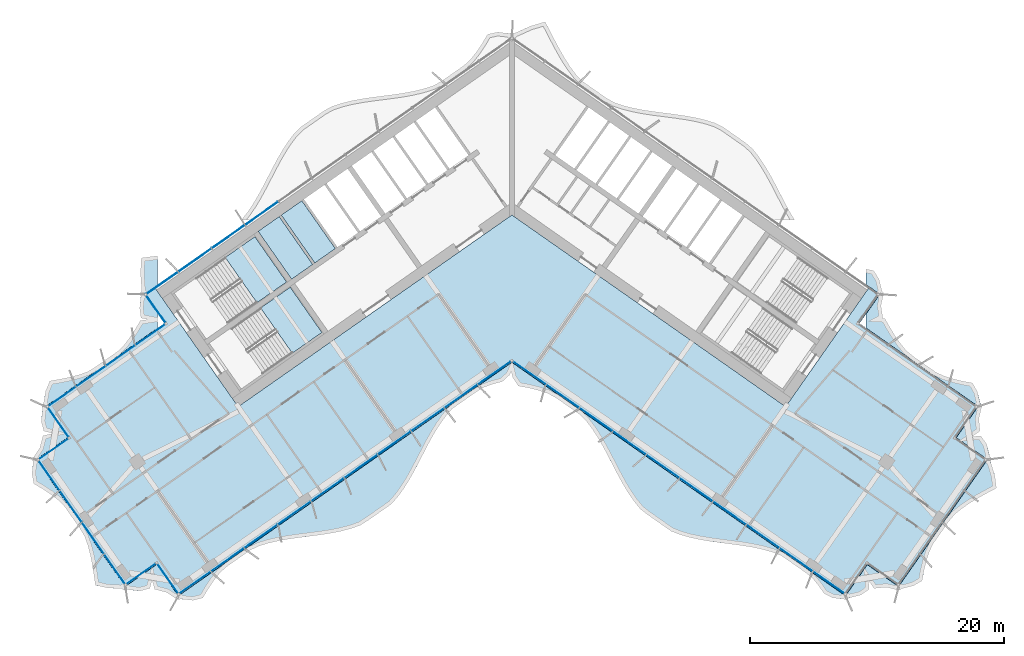
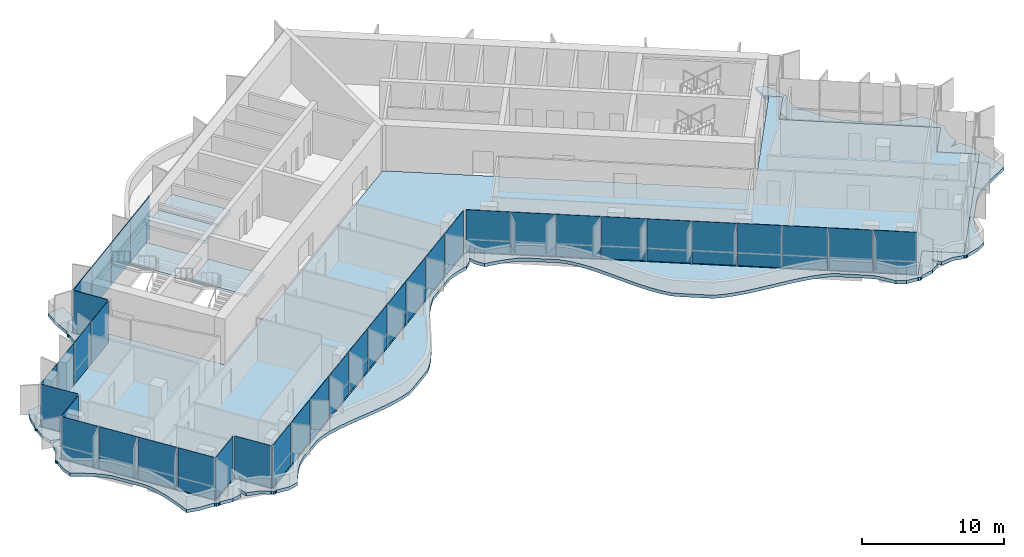
# One storey, part 12 of 23: 37 plates, 6 slabs, 4 elements without a shape of their own.
"""IFC4 building model written with IfcOpenShell, lengths in metres."""

from ifc_helpers import new_model, si_unit, direction, frame, origin, origin_2d, place, context, subcontext, project, spatial, polyline, rectangle, outline, extrude, material, layer, layer_set, type_object, element, aggregate, save


model = new_model("IFC4")

# Units and contexts
model_context = context("Model", 3, precision=1e-05, world=origin(), true_north=direction((0.0, 1.0)))
body_context = subcontext(model_context, "Body", "Model", "MODEL_VIEW")
ifc_project = project(units=[si_unit("LENGTHUNIT", "METRE"), si_unit("AREAUNIT", "SQUARE_METRE"), si_unit("VOLUMEUNIT", "CUBIC_METRE"), si_unit("PLANEANGLEUNIT", "RADIAN"), si_unit("MASSUNIT", "GRAM", prefix="KILO")], contexts=[model_context])

# Site, building, storey
site_placement = place(None, origin())
site = spatial("IfcSite", under=ifc_project, at=site_placement, CompositionType="ELEMENT")
building_placement = place(site_placement, origin())
building = spatial("IfcBuilding", under=site, at=building_placement, Name="Tel Ilan Convention Tower", CompositionType="ELEMENT")
storey_placement = place(building_placement, frame((0.0, 0.0, 182.699951171875)))
storey = spatial("IfcBuildingStorey", under=building, at=storey_placement, Name="L42", CompositionType="ELEMENT", Elevation=182.699951171875)

# Curtain wall, plates
ifc_material_1 = material(Name="Aluminium, bronze anodised", Category="aluminium")
curtain_wall_type_1 = type_object("IfcCurtainWallType", Name="CW4 STICK CURTAIN WALL, OFFICE TINTED GLASS", PredefinedType="NOTDEFINED", material=ifc_material_1)
curtain_wall_1_placement = place(storey_placement, origin())
curtain_wall_1 = element("IfcCurtainWall", 1, at=curtain_wall_1_placement, inside=storey, type_object=curtain_wall_type_1, Name="Curtain wall CW4-32.02", PredefinedType="NOTDEFINED")
ifc_material_2 = material(Name="Glass, bronze tinted, two-ply", Category="glass")
ifc_layer_1 = layer(ifc_material_2, 0.028076171875)
ifc_layer_set_1 = layer_set([ifc_layer_1], Name="CW GLASS PANEL 28")
plate_type_1 = type_object("IfcPlateType", Name="CW GLASS PANEL 28", PredefinedType="CURTAIN_PANEL", material=ifc_layer_set_1)
plate_1_placement = place(storey_placement, frame((-28.450927734375, -10.6435546875, 0.0), z_axis=(0.0, 0.0, 1.0), x_axis=(-0.819152044289, -0.573576436351, 0.0)))
plate_1 = element("IfcPlate", 2, at=plate_1_placement, type_object=plate_type_1, Name="Glass panel", PredefinedType="CURTAIN_PANEL", context=body_context, shape_type="SweptSolid", body=[
    extrude(rectangle(XDim=2.819091796875, YDim=0.028076171875, at=origin_2d()), origin(), (0.0, 0.0, 1.0), 3.6201171875),
])
plate_2_placement = place(storey_placement, frame((-30.79736328125, -12.28662109375, 0.0), z_axis=(0.0, 0.0, 1.0), x_axis=(-0.819152044289, -0.573576436351, 0.0)))
plate_2 = element("IfcPlate", 3, at=plate_2_placement, type_object=plate_type_1, Name="Glass panel", PredefinedType="CURTAIN_PANEL", context=body_context, shape_type="SweptSolid", body=[
    extrude(rectangle(XDim=2.7900390625, YDim=0.028076171875, at=origin_2d()), origin(), (0.0, 0.0, 1.0), 3.6201171875),
])
plate_3_placement = place(storey_placement, frame((-33.1318359375, -13.92138671875, 0.0), z_axis=(0.0, 0.0, 1.0), x_axis=(-0.819152044289, -0.573576436351, 0.0)))
plate_3 = element("IfcPlate", 4, at=plate_3_placement, type_object=plate_type_1, Name="Glass panel", PredefinedType="CURTAIN_PANEL", context=body_context, shape_type="SweptSolid", body=[
    extrude(rectangle(XDim=2.7900390625, YDim=0.028076171875, at=origin_2d()), origin(), (0.0, 0.0, 1.0), 3.6201171875),
])
plate_4_placement = place(storey_placement, frame((-35.427978515625, -15.529052734375, 0.0), z_axis=(0.0, 0.0, 1.0), x_axis=(-0.819152044289, -0.573576436351, 0.0)))
plate_4 = element("IfcPlate", 5, at=plate_4_placement, type_object=plate_type_1, Name="Glass panel", PredefinedType="CURTAIN_PANEL", context=body_context, shape_type="SweptSolid", body=[
    extrude(rectangle(XDim=2.696044921875, YDim=0.028076171875, at=origin_2d()), origin(), (0.0, 0.0, 1.0), 3.6201171875),
])
plate_5_placement = place(storey_placement, frame((-35.713623046875, -17.51318359375, 0.0), z_axis=(0.0, 0.0, 1.0), x_axis=(0.573576436351, -0.819152044289, 0.0)))
plate_5 = element("IfcPlate", 6, at=plate_5_placement, type_object=plate_type_1, Name="Glass panel", PredefinedType="CURTAIN_PANEL", context=body_context, shape_type="SweptSolid", body=[
    extrude(rectangle(XDim=2.875, YDim=0.028076171875, at=origin_2d()), origin(), (0.0, 0.0, 1.0), 3.6201171875),
])
plate_6_placement = place(storey_placement, frame((-36.09130859375, -19.656005859375, 0.0), z_axis=(0.0, 0.0, 1.0), x_axis=(-0.819152044289, -0.573576436351, 0.0)))
plate_6 = element("IfcPlate", 7, at=plate_6_placement, type_object=plate_type_1, Name="Glass panel", PredefinedType="CURTAIN_PANEL", context=body_context, shape_type="SweptSolid", body=[
    extrude(rectangle(XDim=2.875, YDim=0.028076171875, at=origin_2d()), origin(), (0.0, 0.0, 1.0), 3.6201171875),
])
plate_7_placement = place(storey_placement, frame((-36.4443359375, -21.699951171875, 0.0), z_axis=(0.0, 0.0, 1.0), x_axis=(0.573576436351, -0.819152044289, 0.0)))
plate_7 = element("IfcPlate", 8, at=plate_7_placement, type_object=plate_type_1, Name="Glass panel", PredefinedType="CURTAIN_PANEL", context=body_context, shape_type="SweptSolid", body=[
    extrude(rectangle(XDim=2.89599609375, YDim=0.028076171875, at=origin_2d()), origin(), (0.0, 0.0, 1.0), 3.6201171875),
])
plate_8_placement = place(storey_placement, frame((-34.721923828125, -24.159912109375, 0.0), z_axis=(0.0, 0.0, 1.0), x_axis=(0.573576436351, -0.819152044289, 0.0)))
plate_8 = element("IfcPlate", 9, at=plate_8_placement, type_object=plate_type_1, Name="Glass panel", PredefinedType="CURTAIN_PANEL", context=body_context, shape_type="SweptSolid", body=[
    extrude(rectangle(XDim=2.989990234375, YDim=0.028076171875, at=origin_2d()), origin(), (0.0, 0.0, 1.0), 3.6201171875),
])
plate_9_placement = place(storey_placement, frame((-32.972412109375, -26.658203125, 0.0), z_axis=(0.0, 0.0, 1.0), x_axis=(0.573576436351, -0.819152044289, 0.0)))
plate_9 = element("IfcPlate", 10, at=plate_9_placement, type_object=plate_type_1, Name="Glass panel", PredefinedType="CURTAIN_PANEL", context=body_context, shape_type="SweptSolid", body=[
    extrude(rectangle(XDim=2.989990234375, YDim=0.028076171875, at=origin_2d()), origin(), (0.0, 0.0, 1.0), 3.6201171875),
])
plate_10_placement = place(storey_placement, frame((-31.25, -29.1181640625, 0.0), z_axis=(0.0, 0.0, 1.0), x_axis=(0.573576436351, -0.819152044289, 0.0)))
plate_10 = element("IfcPlate", 11, at=plate_10_placement, type_object=plate_type_1, Name="Glass panel", PredefinedType="CURTAIN_PANEL", context=body_context, shape_type="SweptSolid", body=[
    extrude(rectangle(XDim=2.89599609375, YDim=0.028076171875, at=origin_2d()), origin(), (0.0, 0.0, 1.0), 3.6201171875),
])
plate_11_placement = place(storey_placement, frame((-29.20849609375, -29.48583984375, 0.0), z_axis=(0.0, 0.0, 1.0), x_axis=(0.819152044289, 0.573576436351, 0.0)))
plate_11 = element("IfcPlate", 12, at=plate_11_placement, type_object=plate_type_1, Name="Glass panel", PredefinedType="CURTAIN_PANEL", context=body_context, shape_type="SweptSolid", body=[
    extrude(rectangle(XDim=2.875, YDim=0.028076171875, at=origin_2d()), origin(), (0.0, 0.0, 1.0), 3.6201171875),
])
plate_12_placement = place(storey_placement, frame((-27.065673828125, -29.863525390625, 0.0), z_axis=(0.0, 0.0, 1.0), x_axis=(0.573576436351, -0.819152044289, 0.0)))
plate_12 = element("IfcPlate", 13, at=plate_12_placement, type_object=plate_type_1, Name="Glass panel", PredefinedType="CURTAIN_PANEL", context=body_context, shape_type="SweptSolid", body=[
    extrude(rectangle(XDim=2.875, YDim=0.028076171875, at=origin_2d()), origin(), (0.0, 0.0, 1.0), 3.6201171875),
])
plate_13_placement = place(storey_placement, frame((-24.958251953125, -30.172119140625, 0.0), z_axis=(0.0, 0.0, 1.0), x_axis=(0.819152044289, 0.573576436351, 0.0)))
plate_13 = element("IfcPlate", 14, at=plate_13_placement, type_object=plate_type_1, Name="Glass panel", PredefinedType="CURTAIN_PANEL", context=body_context, shape_type="SweptSolid", body=[
    extrude(rectangle(XDim=3.05078125, YDim=0.028076171875, at=origin_2d()), origin(), (0.0, 0.0, 1.0), 3.6201171875),
])
plate_14_placement = place(storey_placement, frame((-22.37158203125, -28.36083984375, 0.0), z_axis=(0.0, 0.0, 1.0), x_axis=(0.819152044289, 0.573576436351, 0.0)))
plate_14 = element("IfcPlate", 15, at=plate_14_placement, type_object=plate_type_1, Name="Glass panel", PredefinedType="CURTAIN_PANEL", context=body_context, shape_type="SweptSolid", body=[
    extrude(rectangle(XDim=3.144775390625, YDim=0.028076171875, at=origin_2d()), origin(), (0.0, 0.0, 1.0), 3.6201171875),
])
plate_15_placement = place(storey_placement, frame((-19.746337890625, -26.522705078125, 0.0), z_axis=(0.0, 0.0, 1.0), x_axis=(0.819152044289, 0.573576436351, 0.0)))
plate_15 = element("IfcPlate", 16, at=plate_15_placement, type_object=plate_type_1, Name="Glass panel", PredefinedType="CURTAIN_PANEL", context=body_context, shape_type="SweptSolid", body=[
    extrude(rectangle(XDim=3.144775390625, YDim=0.028076171875, at=origin_2d()), origin(), (0.0, 0.0, 1.0), 3.6201171875),
])
plate_16_placement = place(storey_placement, frame((-17.12109375, -24.684326171875, 0.0), z_axis=(0.0, 0.0, 1.0), x_axis=(0.819152044289, 0.573576436351, 0.0)))
plate_16 = element("IfcPlate", 17, at=plate_16_placement, type_object=plate_type_1, Name="Glass panel", PredefinedType="CURTAIN_PANEL", context=body_context, shape_type="SweptSolid", body=[
    extrude(rectangle(XDim=3.144775390625, YDim=0.028076171875, at=origin_2d()), origin(), (0.0, 0.0, 1.0), 3.6201171875),
])
plate_17_placement = place(storey_placement, frame((-14.49609375, -22.84619140625, 0.0), z_axis=(0.0, 0.0, 1.0), x_axis=(0.819152044289, 0.573576436351, 0.0)))
plate_17 = element("IfcPlate", 18, at=plate_17_placement, type_object=plate_type_1, Name="Glass panel", PredefinedType="CURTAIN_PANEL", context=body_context, shape_type="SweptSolid", body=[
    extrude(rectangle(XDim=3.144775390625, YDim=0.028076171875, at=origin_2d()), origin(), (0.0, 0.0, 1.0), 3.6201171875),
])
plate_18_placement = place(storey_placement, frame((-11.870849609375, -21.008056640625, 0.0), z_axis=(0.0, 0.0, 1.0), x_axis=(0.819152044289, 0.573576436351, 0.0)))
plate_18 = element("IfcPlate", 19, at=plate_18_placement, type_object=plate_type_1, Name="Glass panel", PredefinedType="CURTAIN_PANEL", context=body_context, shape_type="SweptSolid", body=[
    extrude(rectangle(XDim=3.144775390625, YDim=0.028076171875, at=origin_2d()), origin(), (0.0, 0.0, 1.0), 3.6201171875),
])
plate_19_placement = place(storey_placement, frame((-9.24560546875, -19.169921875, 0.0), z_axis=(0.0, 0.0, 1.0), x_axis=(0.819152044289, 0.573576436351, 0.0)))
plate_19 = element("IfcPlate", 20, at=plate_19_placement, type_object=plate_type_1, Name="Glass panel", PredefinedType="CURTAIN_PANEL", context=body_context, shape_type="SweptSolid", body=[
    extrude(rectangle(XDim=3.144775390625, YDim=0.028076171875, at=origin_2d()), origin(), (0.0, 0.0, 1.0), 3.6201171875),
])
plate_20_placement = place(storey_placement, frame((-6.620361328125, -17.331787109375, 0.0), z_axis=(0.0, 0.0, 1.0), x_axis=(0.819152044289, 0.573576436351, 0.0)))
plate_20 = element("IfcPlate", 21, at=plate_20_placement, type_object=plate_type_1, Name="Glass panel", PredefinedType="CURTAIN_PANEL", context=body_context, shape_type="SweptSolid", body=[
    extrude(rectangle(XDim=3.144775390625, YDim=0.028076171875, at=origin_2d()), origin(), (0.0, 0.0, 1.0), 3.6201171875),
])
plate_21_placement = place(storey_placement, frame((-3.9951171875, -15.493408203125, 0.0), z_axis=(0.0, 0.0, 1.0), x_axis=(0.819152044289, 0.573576436351, 0.0)))
plate_21 = element("IfcPlate", 22, at=plate_21_placement, type_object=plate_type_1, Name="Glass panel", PredefinedType="CURTAIN_PANEL", context=body_context, shape_type="SweptSolid", body=[
    extrude(rectangle(XDim=3.144775390625, YDim=0.028076171875, at=origin_2d()), origin(), (0.0, 0.0, 1.0), 3.6201171875),
])
plate_22_placement = place(storey_placement, frame((-1.370361328125, -13.655517578125, 0.0), z_axis=(0.0, 0.0, 1.0), x_axis=(0.819152044289, 0.573576436351, 0.0)))
plate_22 = element("IfcPlate", 23, at=plate_22_placement, type_object=plate_type_1, Name="Glass panel", PredefinedType="CURTAIN_PANEL", context=body_context, shape_type="SweptSolid", body=[
    extrude(rectangle(XDim=3.143798828125, YDim=0.028076171875, at=origin_2d()), origin(), (0.0, 0.0, 1.0), 3.6201171875),
])
plate_23_placement = place(storey_placement, frame((1.3818359375, -13.66357421875, 0.0), z_axis=(0.0, 0.0, 1.0), x_axis=(0.819152044289, -0.573576436351, 0.0)))
plate_23 = element("IfcPlate", 24, at=plate_23_placement, type_object=plate_type_1, Name="Glass panel", PredefinedType="CURTAIN_PANEL", context=body_context, shape_type="SweptSolid", body=[
    extrude(rectangle(XDim=3.11572265625, YDim=0.028076171875, at=origin_2d()), origin(), (0.0, 0.0, 1.0), 3.6201171875),
])
plate_24_placement = place(storey_placement, frame((3.9951171875, -15.493408203125, 0.0), z_axis=(0.0, 0.0, 1.0), x_axis=(0.819152044289, -0.573576436351, 0.0)))
plate_24 = element("IfcPlate", 25, at=plate_24_placement, type_object=plate_type_1, Name="Glass panel", PredefinedType="CURTAIN_PANEL", context=body_context, shape_type="SweptSolid", body=[
    extrude(rectangle(XDim=3.144775390625, YDim=0.028076171875, at=origin_2d()), origin(), (0.0, 0.0, 1.0), 3.6201171875),
])
plate_25_placement = place(storey_placement, frame((6.620361328125, -17.331787109375, 0.0), z_axis=(0.0, 0.0, 1.0), x_axis=(0.819152044289, -0.573576436351, 0.0)))
plate_25 = element("IfcPlate", 26, at=plate_25_placement, type_object=plate_type_1, Name="Glass panel", PredefinedType="CURTAIN_PANEL", context=body_context, shape_type="SweptSolid", body=[
    extrude(rectangle(XDim=3.144775390625, YDim=0.028076171875, at=origin_2d()), origin(), (0.0, 0.0, 1.0), 3.6201171875),
])
plate_26_placement = place(storey_placement, frame((9.24560546875, -19.169921875, 0.0), z_axis=(0.0, 0.0, 1.0), x_axis=(0.819152044289, -0.573576436351, 0.0)))
plate_26 = element("IfcPlate", 27, at=plate_26_placement, type_object=plate_type_1, Name="Glass panel", PredefinedType="CURTAIN_PANEL", context=body_context, shape_type="SweptSolid", body=[
    extrude(rectangle(XDim=3.144775390625, YDim=0.028076171875, at=origin_2d()), origin(), (0.0, 0.0, 1.0), 3.6201171875),
])
plate_27_placement = place(storey_placement, frame((11.870849609375, -21.008056640625, 0.0), z_axis=(0.0, 0.0, 1.0), x_axis=(0.819152044289, -0.573576436351, 0.0)))
plate_27 = element("IfcPlate", 28, at=plate_27_placement, type_object=plate_type_1, Name="Glass panel", PredefinedType="CURTAIN_PANEL", context=body_context, shape_type="SweptSolid", body=[
    extrude(rectangle(XDim=3.144775390625, YDim=0.028076171875, at=origin_2d()), origin(), (0.0, 0.0, 1.0), 3.6201171875),
])
plate_28_placement = place(storey_placement, frame((14.49609375, -22.84619140625, 0.0), z_axis=(0.0, 0.0, 1.0), x_axis=(0.819152044289, -0.573576436351, 0.0)))
plate_28 = element("IfcPlate", 29, at=plate_28_placement, type_object=plate_type_1, Name="Glass panel", PredefinedType="CURTAIN_PANEL", context=body_context, shape_type="SweptSolid", body=[
    extrude(rectangle(XDim=3.144775390625, YDim=0.028076171875, at=origin_2d()), origin(), (0.0, 0.0, 1.0), 3.6201171875),
])
plate_29_placement = place(storey_placement, frame((17.12109375, -24.684326171875, 0.0), z_axis=(0.0, 0.0, 1.0), x_axis=(0.819152044289, -0.573576436351, 0.0)))
plate_29 = element("IfcPlate", 30, at=plate_29_placement, type_object=plate_type_1, Name="Glass panel", PredefinedType="CURTAIN_PANEL", context=body_context, shape_type="SweptSolid", body=[
    extrude(rectangle(XDim=3.144775390625, YDim=0.028076171875, at=origin_2d()), origin(), (0.0, 0.0, 1.0), 3.6201171875),
])
plate_30_placement = place(storey_placement, frame((19.746337890625, -26.522705078125, 0.0), z_axis=(0.0, 0.0, 1.0), x_axis=(0.819152044289, -0.573576436351, 0.0)))
plate_30 = element("IfcPlate", 31, at=plate_30_placement, type_object=plate_type_1, Name="Glass panel", PredefinedType="CURTAIN_PANEL", context=body_context, shape_type="SweptSolid", body=[
    extrude(rectangle(XDim=3.144775390625, YDim=0.028076171875, at=origin_2d()), origin(), (0.0, 0.0, 1.0), 3.6201171875),
])
plate_31_placement = place(storey_placement, frame((22.37158203125, -28.36083984375, 0.0), z_axis=(0.0, 0.0, 1.0), x_axis=(0.819152044289, -0.573576436351, 0.0)))
plate_31 = element("IfcPlate", 32, at=plate_31_placement, type_object=plate_type_1, Name="Glass panel", PredefinedType="CURTAIN_PANEL", context=body_context, shape_type="SweptSolid", body=[
    extrude(rectangle(XDim=3.144775390625, YDim=0.028076171875, at=origin_2d()), origin(), (0.0, 0.0, 1.0), 3.6201171875),
])
plate_32_placement = place(storey_placement, frame((24.958251953125, -30.172119140625, 0.0), z_axis=(0.0, 0.0, 1.0), x_axis=(0.819152044289, -0.573576436351, 0.0)))
plate_32 = element("IfcPlate", 33, at=plate_32_placement, type_object=plate_type_1, Name="Glass panel", PredefinedType="CURTAIN_PANEL", context=body_context, shape_type="SweptSolid", body=[
    extrude(rectangle(XDim=3.05078125, YDim=0.028076171875, at=origin_2d()), origin(), (0.0, 0.0, 1.0), 3.6201171875),
])
aggregate(curtain_wall_1, [plate_1, plate_2, plate_3, plate_4, plate_5, plate_6, plate_7, plate_8, plate_9, plate_10, plate_11, plate_12, plate_13, plate_14, plate_15, plate_16, plate_17, plate_18, plate_19, plate_20, plate_21, plate_22, plate_23, plate_24, plate_25, plate_26, plate_27, plate_28, plate_29, plate_30, plate_31, plate_32])

ifc_material_3 = material(Name="Aluminium, bronze anodised", Category="aluminium")
curtain_wall_type_2 = type_object("IfcCurtainWallType", Name="CW2 STICK CURTAIN WALL, SPANDREL PANELS", PredefinedType="NOTDEFINED", material=ifc_material_3)
curtain_wall_2_placement = place(storey_placement, origin())
curtain_wall_2 = element("IfcCurtainWall", 34, at=curtain_wall_2_placement, inside=storey, type_object=curtain_wall_type_2, Name="Curtain wall CW2-32.01", PredefinedType="NOTDEFINED")
ifc_material_4 = material(Name="Aluminium composite panel, bronze anodised", Category="aluminium")
ifc_layer_2 = layer(ifc_material_4, 0.06005859375)
ifc_layer_set_2 = layer_set([ifc_layer_2], Name="CW SPANDREL PANEL 60")
plate_type_2 = type_object("IfcPlateType", Name="CW SPANDREL PANEL 60", PredefinedType="CURTAIN_PANEL", material=ifc_layer_set_2)
plate_33_placement = place(storey_placement, frame((-19.687255859375, -1.089111328125, 0.0), z_axis=(0.0, 0.0, 1.0), x_axis=(-0.819152044289, -0.573576436351, 0.0)))
plate_33 = element("IfcPlate", 35, at=plate_33_placement, type_object=plate_type_2, Name="Spandrel panel", PredefinedType="CURTAIN_PANEL", context=body_context, shape_type="SweptSolid", body=[
    extrude(rectangle(XDim=3.15380859375, YDim=0.06005859375, at=origin_2d()), origin(), (0.0, 0.0, 1.0), 3.6201171875),
])
plate_34_placement = place(storey_placement, frame((-22.31982421875, -2.9326171875, 0.0), z_axis=(0.0, 0.0, 1.0), x_axis=(-0.819152044289, -0.573576436351, 0.0)))
plate_34 = element("IfcPlate", 36, at=plate_34_placement, type_object=plate_type_2, Name="Spandrel panel", PredefinedType="CURTAIN_PANEL", context=body_context, shape_type="SweptSolid", body=[
    extrude(rectangle(XDim=3.15380859375, YDim=0.06005859375, at=origin_2d()), origin(), (0.0, 0.0, 1.0), 3.6201171875),
])
plate_35_placement = place(storey_placement, frame((-24.95263671875, -4.77587890625, 0.0), z_axis=(0.0, 0.0, 1.0), x_axis=(-0.819152044289, -0.573576436351, 0.0)))
plate_35 = element("IfcPlate", 37, at=plate_35_placement, type_object=plate_type_2, Name="Spandrel panel", PredefinedType="CURTAIN_PANEL", context=body_context, shape_type="SweptSolid", body=[
    extrude(rectangle(XDim=3.15380859375, YDim=0.06005859375, at=origin_2d()), origin(), (0.0, 0.0, 1.0), 3.6201171875),
])
plate_36_placement = place(storey_placement, frame((-27.5400390625, -6.587646484375, 0.0), z_axis=(0.0, 0.0, 1.0), x_axis=(-0.819152044289, -0.573576436351, 0.0)))
plate_36 = element("IfcPlate", 38, at=plate_36_placement, type_object=plate_type_2, Name="Spandrel panel", PredefinedType="CURTAIN_PANEL", context=body_context, shape_type="SweptSolid", body=[
    extrude(rectangle(XDim=3.0439453125, YDim=0.06005859375, at=origin_2d()), origin(), (0.0, 0.0, 1.0), 3.6201171875),
])
plate_37_placement = place(storey_placement, frame((-28.033935546875, -8.60546875, 0.0), z_axis=(0.0, 0.0, 1.0), x_axis=(0.573576436351, -0.819152044289, 0.0)))
plate_37 = element("IfcPlate", 39, at=plate_37_placement, type_object=plate_type_2, Name="Spandrel panel", PredefinedType="CURTAIN_PANEL", context=body_context, shape_type="SweptSolid", body=[
    extrude(rectangle(XDim=2.658935546875, YDim=0.06005859375, at=origin_2d()), origin(), (0.0, 0.0, 1.0), 3.6201171875),
])
aggregate(curtain_wall_2, [plate_33, plate_34, plate_35, plate_36, plate_37])

# Stair, slab
ifc_material_5 = material(Name="Concrete C40/50", Category="concrete")
stair_type = type_object("IfcStairType", Name="Pressurised Exit Stair 22 risers 177 mm", PredefinedType="HALF_TURN_STAIR", material=ifc_material_5)
stair_1_placement = place(storey_placement, origin())
stair_1 = element("IfcStair", 40, at=stair_1_placement, inside=storey, type_object=stair_type, Name="L42 Pressurised Stair S1", PredefinedType="HALF_TURN_STAIR")
ifc_material_6 = material(Name="Concrete C40/50", Category="concrete")
ifc_layer_3 = layer(ifc_material_6, 0.199951171875)
ifc_layer_set_3 = layer_set([ifc_layer_3], Name="Concrete Stair Landing 200 mm C40/50")
slab_type_1 = type_object("IfcSlabType", Name="Concrete Stair Landing 200 mm", PredefinedType="LANDING", material=ifc_layer_set_3)
slab_1_placement = place(storey_placement, frame((0.0, 0.0, 1.75)))
slab_1 = element("IfcSlab", 41, at=slab_1_placement, type_object=slab_type_1, Name="S1 landing 1", PredefinedType="LANDING", context=body_context, shape_type="SweptSolid", body=[
    extrude(outline(polyline([(-20.066650390625, -8.130126953125), (-17.7314453125, -6.494873046875), (-20.226318359375, -2.931640625), (-22.561767578125, -4.566650390625), (-20.066650390625, -8.130126953125)])), origin(), (0.0, 0.0, 1.0), 0.199951171875),
])
aggregate(stair_1, [slab_1])

stair_2_placement = place(storey_placement, origin())
stair_2 = element("IfcStair", 42, at=stair_2_placement, inside=storey, type_object=stair_type, Name="L42 Pressurised Stair S2", PredefinedType="HALF_TURN_STAIR")
slab_2_placement = place(storey_placement, frame((0.0, 0.0, 1.75)))
slab_2 = element("IfcSlab", 43, at=slab_2_placement, type_object=slab_type_1, Name="S2 landing 1", PredefinedType="LANDING", context=body_context, shape_type="SweptSolid", body=[
    extrude(outline(polyline([(-17.28466796875, -12.10302734375), (-14.949462890625, -10.4677734375), (-17.444580078125, -6.904541015625), (-19.77978515625, -8.53955078125), (-17.28466796875, -12.10302734375)])), origin(), (0.0, 0.0, 1.0), 0.199951171875),
])
aggregate(stair_2, [slab_2])

# Slabs
ifc_material_7 = material(Name="Concrete C40/50", Category="concrete")
ifc_layer_4 = layer(ifc_material_7, 0.280029296875)
ifc_layer_set_4 = layer_set([ifc_layer_4], Name="Edge Ledge Slab 280 mm C40/50")
slab_type_2 = type_object("IfcSlabType", Name="Edge Ledge Slab 280 mm C40/50", PredefinedType="FLOOR", material=ifc_layer_set_4)
slab_3_placement = place(storey_placement, frame((0.0, 0.0, -0.280029296875)))
element("IfcSlab", 44, at=slab_3_placement, inside=storey, type_object=slab_type_2, Name="L42 edge ledge 1", PredefinedType="FLOOR", context=body_context, shape_type="SweptSolid", body=[
    extrude(outline(polyline([(-29.29443359375, -8.548583984375), (-29.20458984375, -7.631103515625), (-29.199951171875, -7.6279296875), (-29.236083984375, -7.57373046875), (-29.2587890625, -7.458984375), (-29.236083984375, -7.34423828125), (-29.1708984375, -7.246826171875), (-29.127685546875, -7.218017578125), (-29.130859375, -7.21337890625), (-29.231689453125, -5.78515625), (-29.161865234375, -4.60107421875), (-28.33935546875, -4.49169921875), (-27.875, -4.4326171875), (-27.875, -6.7001953125), (-28.958740234375, -7.458984375), (-27.875, -9.007080078125), (-27.875, -10.1181640625), (-36.691162109375, -16.29150390625), (-34.970458984375, -18.748779296875), (-37.427978515625, -20.469482421875), (-30.43017578125, -30.46337890625), (-27.972900390625, -28.74267578125), (-26.251953125, -31.199951171875), (0.0, -12.818115234375), (26.251953125, -31.199951171875), (27.972900390625, -28.74267578125), (30.43017578125, -30.46337890625), (37.427978515625, -20.469482421875), (34.970458984375, -18.748779296875), (36.691162109375, -16.29150390625), (27.875, -10.1181640625), (27.875, -9.007080078125), (28.958740234375, -7.458984375), (27.875, -6.7001953125), (27.875, -5.485595703125), (28.465576171875, -5.595458984375), (28.894287109375, -6.267333984375), (29.130859375, -7.21337890625), (29.127685546875, -7.218017578125), (29.1708984375, -7.246826171875), (29.236083984375, -7.34423828125), (29.2587890625, -7.458984375), (29.236083984375, -7.57373046875), (29.199951171875, -7.6279296875), (29.20458984375, -7.631103515625), (29.044921875, -8.373779296875), (29.194091796875, -9.332763671875), (29.132080078125, -9.36474609375), (29.356201171875, -9.3759765625), (29.74560546875, -10.06201171875), (30.151123046875, -10.72509765625), (30.5849609375, -11.347900390625), (31.052978515625, -11.92138671875), (31.6103515625, -12.36767578125), (33.361328125, -13.59375), (34.017333984375, -13.899169921875), (34.732421875, -14.1201171875), (35.47900390625, -14.2958984375), (36.246826171875, -14.44140625), (36.63134765625, -15.134521484375), (36.86328125, -16.045654296875), (36.85986328125, -16.05029296875), (36.9033203125, -16.079345703125), (36.96826171875, -16.176513671875), (36.9912109375, -16.29150390625), (36.96826171875, -16.40625), (36.93212890625, -16.460205078125), (36.93701171875, -16.46337890625), (36.748779296875, -17.24755859375), (36.839599609375, -18.2265625), (36.20458984375, -18.665283203125), (36.905517578125, -18.6005859375), (37.3603515625, -19.258544921875), (37.599853515625, -20.223876953125), (37.5966796875, -20.228515625), (37.639892578125, -20.257568359375), (37.705078125, -20.354736328125), (37.727783203125, -20.469482421875), (37.705078125, -20.58447265625), (37.6689453125, -20.638427734375), (37.673583984375, -20.6416015625), (38.010498046875, -21.753662109375), (38.13427734375, -22.71630859375), (37.423828125, -23.09521484375), (36.7236328125, -23.48095703125), (36.052734375, -23.88720703125), (35.421630859375, -24.3212890625), (34.83984375, -24.7900390625), (34.380615234375, -25.344482421875), (33.145751953125, -27.108154296875), (32.83154296875, -27.764404296875), (32.607177734375, -28.4833984375), (32.42919921875, -29.234619140625), (32.28369140625, -30.0087890625), (31.594482421875, -30.402587890625), (30.676025390625, -30.635498046875), (30.67138671875, -30.632080078125), (30.642333984375, -30.67529296875), (30.544921875, -30.740478515625), (30.43017578125, -30.76318359375), (30.3154296875, -30.740478515625), (30.261474609375, -30.704345703125), (30.25830078125, -30.708984375), (29.47412109375, -30.52099609375), (28.4951171875, -30.61181640625), (28.056396484375, -29.976806640625), (28.12109375, -30.677490234375), (27.463134765625, -31.132568359375), (26.497802734375, -31.3720703125), (26.4931640625, -31.368896484375), (26.464111328125, -31.412109375), (26.36669921875, -31.477294921875), (26.251953125, -31.5), (26.13720703125, -31.477294921875), (26.083251953125, -31.441162109375), (26.080078125, -31.44580078125), (25.2314453125, -31.358154296875), (24.565673828125, -31.009765625), (24.111328125, -30.35888671875), (23.619384765625, -29.76220703125), (23.02734375, -29.308349609375), (21.19580078125, -28.02587890625), (20.475830078125, -27.7548828125), (19.716064453125, -27.540283203125), (18.924072265625, -27.372314453125), (18.10791015625, -27.23828125), (17.27685546875, -27.1259765625), (16.44091796875, -27.0205078125), (15.610107421875, -26.9072265625), (14.794677734375, -26.7724609375), (14.003662109375, -26.602783203125), (13.245361328125, -26.386474609375), (12.530029296875, -26.108642578125), (10.698486328125, -24.826171875), (10.110107421875, -24.3671875), (9.61962890625, -23.768310546875), (9.166748046875, -23.115478515625), (8.744384765625, -22.41943359375), (8.343994140625, -21.69189453125), (7.956298828125, -20.9462890625), (7.57080078125, -20.197509765625), (7.177490234375, -19.45947265625), (6.76708984375, -18.74658203125), (6.329833984375, -18.071533203125), (5.8583984375, -17.445556640625), (5.322509765625, -16.9111328125), (3.490966796875, -15.62890625), (2.833251953125, -15.268798828125), (2.093017578125, -15.0263671875), (1.31689453125, -14.835693359375), (0.51220703125, -14.685546875), (0.06640625, -14.0224609375), (-0.055419921875, -13.53271484375), (-0.200439453125, -13.831298828125), (-0.755615234375, -14.337890625), (-1.5224609375, -14.5419921875), (-2.251708984375, -14.800048828125), (-2.880615234375, -15.201416015625), (-4.7119140625, -16.48388671875), (-5.212890625, -17.067626953125), (-5.67431640625, -17.708251953125), (-6.103271484375, -18.39501953125), (-6.508056640625, -19.1162109375), (-6.898193359375, -19.858642578125), (-7.283203125, -20.608154296875), (-7.673583984375, -21.35009765625), (-8.0791015625, -22.0703125), (-8.509033203125, -22.755615234375), (-8.9716796875, -23.39404296875), (-9.4775390625, -23.97119140625), (-11.30908203125, -25.253662109375), (-11.941650390625, -25.649658203125), (-12.672119140625, -25.90576171875), (-13.4404296875, -26.10791015625), (-14.239013671875, -26.266845703125), (-15.059814453125, -26.394287109375), (-15.892822265625, -26.503662109375), (-16.728515625, -26.609619140625), (-17.556396484375, -26.726806640625), (-18.36669921875, -26.86865234375), (-19.150634765625, -27.048583984375), (-19.900146484375, -27.277587890625), (-20.58544921875, -27.598388671875), (-22.4169921875, -28.880859375), (-22.980224609375, -29.375732421875), (-23.4609375, -29.98828125), (-23.90576171875, -30.652587890625), (-24.322021484375, -31.357421875), (-25.097412109375, -31.54931640625), (-26.080078125, -31.44580078125), (-26.083251953125, -31.441162109375), (-26.13720703125, -31.477294921875), (-26.251953125, -31.5), (-26.36669921875, -31.477294921875), (-26.464111328125, -31.412109375), (-26.4931640625, -31.368896484375), (-26.497802734375, -31.3720703125), (-27.170166015625, -30.92724609375), (-28.12109375, -30.677490234375), (-28.31640625, -29.930908203125), (-28.4951171875, -30.61181640625), (-29.26904296875, -30.814208984375), (-30.25830078125, -30.708984375), (-30.261474609375, -30.704345703125), (-30.3154296875, -30.740478515625), (-30.43017578125, -30.76318359375), (-30.544921875, -30.740478515625), (-30.642333984375, -30.67529296875), (-30.67138671875, -30.632080078125), (-30.676025390625, -30.635498046875), (-31.836181640625, -30.57177734375), (-32.782958984375, -30.358642578125), (-32.89599609375, -29.5615234375), (-33.01904296875, -28.771728515625), (-33.17138671875, -28.002197265625), (-33.363525390625, -27.2607421875), (-33.60498046875, -26.5537109375), (-33.968994140625, -25.9326171875), (-35.203857421875, -24.1689453125), (-35.712890625, -23.649169921875), (-36.311767578125, -23.1923828125), (-36.95703125, -22.768310546875), (-37.634765625, -22.36669921875), (-37.76904296875, -21.584716796875), (-37.673583984375, -20.6416015625), (-37.6689453125, -20.638427734375), (-37.705078125, -20.58447265625), (-37.727783203125, -20.469482421875), (-37.705078125, -20.354736328125), (-37.639892578125, -20.257568359375), (-37.5966796875, -20.228515625), (-37.599853515625, -20.223876953125), (-37.1552734375, -19.551513671875), (-36.905517578125, -18.6005859375), (-36.15869140625, -18.4052734375), (-36.839599609375, -18.2265625), (-37.0419921875, -17.45263671875), (-36.93701171875, -16.46337890625), (-36.93212890625, -16.460205078125), (-36.96826171875, -16.40625), (-36.9912109375, -16.29150390625), (-36.96826171875, -16.176513671875), (-36.9033203125, -16.079345703125), (-36.85986328125, -16.05029296875), (-36.86328125, -16.045654296875), (-36.686767578125, -15.055419921875), (-36.35986328125, -14.280029296875), (-35.58203125, -14.148681640625), (-34.8203125, -13.994384765625), (-34.086669921875, -13.7998046875), (-33.387451171875, -13.55615234375), (-32.777587890625, -13.18505859375), (-31.026611328125, -11.958984375), (-30.515380859375, -11.447021484375), (-30.06298828125, -10.850830078125), (-29.642578125, -10.208984375), (-29.2431640625, -9.537353515625), (-28.64111328125, -9.44189453125), (-29.194091796875, -9.332763671875), (-29.29443359375, -8.548583984375)])), origin(), (0.0, 0.0, 1.0), 0.280029296875),
])
ifc_material_8 = material(Name="Concrete C40/50", Category="concrete")
ifc_layer_5 = layer(ifc_material_8, 0.280029296875)
ifc_layer_set_5 = layer_set([ifc_layer_5], Name="Flat Plate Floor Slab 280 mm C40/50")
slab_type_3 = type_object("IfcSlabType", Name="Flat Plate Floor Slab 280 mm C40/50", PredefinedType="FLOOR", material=ifc_layer_set_5)
slab_4_placement = place(storey_placement, frame((0.0, 0.0, -0.280029296875)))
element("IfcSlab", 45, at=slab_4_placement, inside=storey, type_object=slab_type_3, Name="L42 floor slab", PredefinedType="FLOOR", context=body_context, shape_type="SweptSolid", body=[
    extrude(outline(polyline([(21.54345703125, -16.3056640625), (28.1396484375, -6.885498046875), (28.958740234375, -7.458984375), (27.352783203125, -9.752685546875), (36.691162109375, -16.29150390625), (34.970458984375, -18.748779296875), (37.427978515625, -20.469482421875), (30.43017578125, -30.46337890625), (27.972900390625, -28.74267578125), (26.251953125, -31.199951171875), (0.0, -12.818115234375), (-26.251953125, -31.199951171875), (-27.972900390625, -28.74267578125), (-30.43017578125, -30.46337890625), (-37.427978515625, -20.469482421875), (-34.970458984375, -18.748779296875), (-36.691162109375, -16.29150390625), (-27.352783203125, -9.752685546875), (-28.958740234375, -7.458984375), (-28.1396484375, -6.885498046875), (-21.54345703125, -16.3056640625), (0.0, -1.220703125), (21.54345703125, -16.3056640625)])), origin(), (0.0, 0.0, 1.0), 0.280029296875),
])
ifc_material_9 = material(Name="Concrete C40/50", Category="concrete")
ifc_layer_6 = layer(ifc_material_9, 0.300048828125)
ifc_layer_set_6 = layer_set([ifc_layer_6], Name="Lift Machine Room Deck 300 mm C40/50")
slab_type_4 = type_object("IfcSlabType", Name="Lift Machine Room Deck 300 mm C40/50", PredefinedType="ROOF", material=ifc_layer_set_6)
slab_5_placement = place(storey_placement, frame((0.0, 0.0, 2.800048828125)))
element("IfcSlab", 46, at=slab_5_placement, inside=storey, type_object=slab_type_4, Name="L42 machine room deck over lift LR7", PredefinedType="ROOF", context=body_context, shape_type="SweptSolid", body=[
    extrude(outline(polyline([(-13.8935546875, -3.86865234375), (-15.511474609375, -5.00146484375), (-18.14990234375, -1.2333984375), (-16.531982421875, -0.1005859375), (-13.8935546875, -3.86865234375)])), origin(), (0.0, 0.0, 1.0), 0.300048828125),
])
slab_6_placement = place(storey_placement, frame((0.0, 0.0, 2.800048828125)))
element("IfcSlab", 47, at=slab_6_placement, inside=storey, type_object=slab_type_4, Name="L42 machine room deck over lift LR8", PredefinedType="ROOF", context=body_context, shape_type="SweptSolid", body=[
    extrude(outline(polyline([(-15.67529296875, -5.1162109375), (-17.333984375, -6.277587890625), (-19.972412109375, -2.509521484375), (-18.313720703125, -1.34814453125), (-15.67529296875, -5.1162109375)])), origin(), (0.0, 0.0, 1.0), 0.300048828125),
])

save(model, "model.ifc")
